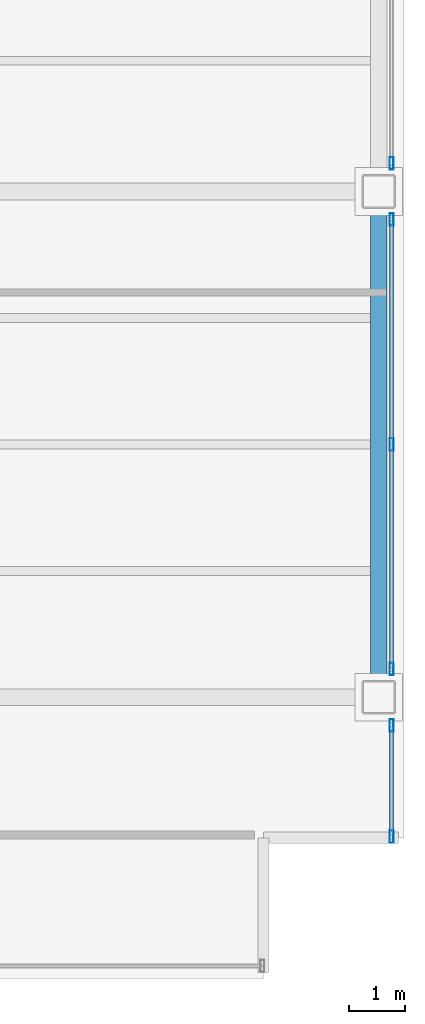
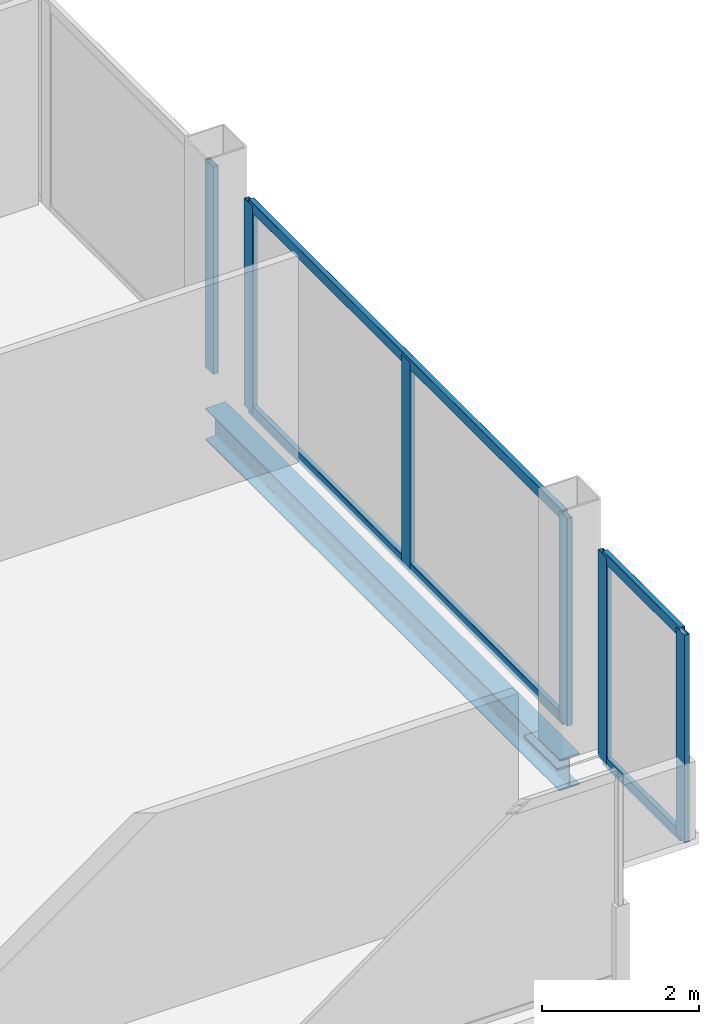
# One storey, part 10 of 20: 10 members, 1 beam, 3 elements without a shape of their own.
"""IFC4 building model written with IfcOpenShell, lengths in metres."""

from ifc_helpers import new_model, si_unit, direction, frame, origin, origin_2d, place, context, subcontext, project, spatial, hollow_rectangle, i_section, extrude, material, material_profile, profile_set, type_object, element, aggregate, save


model = new_model("IFC4")

# Units and contexts
model_context = context("Model", 3, precision=1e-05, world=origin(), true_north=direction((0.0, 1.0)))
body_context = subcontext(model_context, "Body", "Model", "MODEL_VIEW")
ifc_project = project(units=[si_unit("LENGTHUNIT", "METRE"), si_unit("AREAUNIT", "SQUARE_METRE"), si_unit("VOLUMEUNIT", "CUBIC_METRE"), si_unit("PLANEANGLEUNIT", "RADIAN"), si_unit("MASSUNIT", "GRAM", prefix="KILO")], contexts=[model_context])

# Site, building, storey
site_placement = place(None, origin())
site = spatial("IfcSite", under=ifc_project, at=site_placement, CompositionType="ELEMENT")
building_placement = place(site_placement, origin())
building = spatial("IfcBuilding", under=site, at=building_placement, Name="Noeulbin Bourse Tower", CompositionType="ELEMENT")
storey_placement = place(building_placement, frame((0.0, 0.0, 61.60009765625)))
storey = spatial("IfcBuildingStorey", under=building, at=storey_placement, Name="L15", CompositionType="ELEMENT", Elevation=61.60009765625)

# Beam
ifc_material_1 = material(Name="Steel S355", Category="steel")
ifc_material_profile_1 = material_profile(ifc_material_1, i_section(OverallWidth=0.300048828125, OverallDepth=0.488037109375, WebThickness=0.010986328125, FlangeThickness=0.01806640625, FilletRadius=0.02197265625, at=origin_2d()), Name="H-488x300x11x18", Category="LoadBearing")
ifc_profile_set_1 = profile_set([ifc_material_profile_1], Name="Steel S355")
beam_type = type_object("IfcBeamType", Name="BM-SPN-488", PredefinedType="SPANDREL", material=ifc_profile_set_1)
beam_placement = place(storey_placement, frame((57.050048828125, 20.0, -0.424072265625), z_axis=(0.0, 1.0, 0.0), x_axis=(-1.0, 0.0, 0.0)))
element("IfcBeam", 1, at=beam_placement, inside=storey, type_object=beam_type, Name="East Spandrel L15-1", PredefinedType="SPANDREL", context=body_context, shape_type="SweptSolid", body=[
    extrude(i_section(OverallWidth=0.300048828125, OverallDepth=0.488037109375, WebThickness=0.010986328125, FlangeThickness=0.01806640625, FilletRadius=0.02197265625, at=origin_2d()), origin(), (0.0, 0.0, 1.0), 9.0),
])

# Curtain wall, members
ifc_material_2 = material(Name="Dark Solar-Control Double Glazing", Category="glass")
curtain_wall_type = type_object("IfcCurtainWallType", Name="CW-SYS-2", PredefinedType="NOTDEFINED", material=ifc_material_2)
curtain_wall_1_placement = place(storey_placement, origin())
curtain_wall_1 = element("IfcCurtainWall", 2, at=curtain_wall_1_placement, inside=storey, type_object=curtain_wall_type, Name="Unitised Curtain Wall CW-L15-E-S1", PredefinedType="NOTDEFINED")
ifc_material_3 = material(Name="Anodised Aluminium 6063-T6", Category="aluminium")
ifc_material_profile_2 = material_profile(ifc_material_3, hollow_rectangle(XDim=0.074951171875, YDim=0.219970703125, WallThickness=0.0048828125, InnerFilletRadius=0.00244140625, OuterFilletRadius=0.0048828125, at=origin_2d()), Name="ALU-MULL-75x220x5", Category="LoadBearing")
ifc_profile_set_2 = profile_set([ifc_material_profile_2], Name="Anodised Aluminium 6063-T6")
member_type_1 = type_object("IfcMemberType", Name="CW-SYS-2-MUL", PredefinedType="MULLION", material=ifc_profile_set_2)
member_1_placement = place(storey_placement, frame((57.280029296875, 17.52001953125, -0.02001953125), z_axis=(0.0, 0.0, 1.0), x_axis=(1.0, 0.0, 0.0)))
member_1 = element("IfcMember", 3, at=member_1_placement, type_object=member_type_1, Name="Curtain Wall Mullion CW-L15-E-S1-M00", PredefinedType="MULLION", context=body_context, shape_type="SweptSolid", body=[
    extrude(hollow_rectangle(XDim=0.074951171875, YDim=0.219970703125, WallThickness=0.0048828125, InnerFilletRadius=0.00244140625, OuterFilletRadius=0.0048828125, at=origin_2d()), origin(), (0.0, 0.0, 1.0), 3.219970703125),
])
member_2_placement = place(storey_placement, frame((57.280029296875, 19.5, -0.02001953125), z_axis=(0.0, 0.0, 1.0), x_axis=(1.0, 0.0, 0.0)))
member_2 = element("IfcMember", 4, at=member_2_placement, type_object=member_type_1, Name="Curtain Wall Mullion CW-L15-E-S1-M01", PredefinedType="MULLION", context=body_context, shape_type="SweptSolid", body=[
    extrude(hollow_rectangle(XDim=0.074951171875, YDim=0.219970703125, WallThickness=0.0048828125, InnerFilletRadius=0.00244140625, OuterFilletRadius=0.0048828125, at=origin_2d()), origin(), (0.0, 0.0, 1.0), 3.219970703125),
])

curtain_wall_2_placement = place(storey_placement, origin())
curtain_wall_2 = element("IfcCurtainWall", 5, at=curtain_wall_2_placement, inside=storey, type_object=curtain_wall_type, Name="Unitised Curtain Wall CW-L15-E-S2", PredefinedType="NOTDEFINED")
member_3_placement = place(storey_placement, frame((57.280029296875, 20.5, -0.02001953125), z_axis=(0.0, 0.0, 1.0), x_axis=(1.0, 0.0, 0.0)))
member_3 = element("IfcMember", 6, at=member_3_placement, type_object=member_type_1, Name="Curtain Wall Mullion CW-L15-E-S2-M00", PredefinedType="MULLION", context=body_context, shape_type="SweptSolid", body=[
    extrude(hollow_rectangle(XDim=0.074951171875, YDim=0.219970703125, WallThickness=0.0048828125, InnerFilletRadius=0.00244140625, OuterFilletRadius=0.0048828125, at=origin_2d()), origin(), (0.0, 0.0, 1.0), 3.219970703125),
])
member_4_placement = place(storey_placement, frame((57.280029296875, 24.5, -0.02001953125), z_axis=(0.0, 0.0, 1.0), x_axis=(1.0, 0.0, 0.0)))
member_4 = element("IfcMember", 7, at=member_4_placement, type_object=member_type_1, Name="Curtain Wall Mullion CW-L15-E-S2-M01", PredefinedType="MULLION", context=body_context, shape_type="SweptSolid", body=[
    extrude(hollow_rectangle(XDim=0.074951171875, YDim=0.219970703125, WallThickness=0.0048828125, InnerFilletRadius=0.00244140625, OuterFilletRadius=0.0048828125, at=origin_2d()), origin(), (0.0, 0.0, 1.0), 3.219970703125),
])
member_5_placement = place(storey_placement, frame((57.280029296875, 28.5, -0.02001953125), z_axis=(0.0, 0.0, 1.0), x_axis=(1.0, 0.0, 0.0)))
member_5 = element("IfcMember", 8, at=member_5_placement, type_object=member_type_1, Name="Curtain Wall Mullion CW-L15-E-S2-M02", PredefinedType="MULLION", context=body_context, shape_type="SweptSolid", body=[
    extrude(hollow_rectangle(XDim=0.074951171875, YDim=0.219970703125, WallThickness=0.0048828125, InnerFilletRadius=0.00244140625, OuterFilletRadius=0.0048828125, at=origin_2d()), origin(), (0.0, 0.0, 1.0), 3.219970703125),
])

# Curtain wall, member
curtain_wall_3_placement = place(storey_placement, origin())
curtain_wall_3 = element("IfcCurtainWall", 9, at=curtain_wall_3_placement, inside=storey, type_object=curtain_wall_type, Name="Unitised Curtain Wall CW-L15-E-S3", PredefinedType="NOTDEFINED")
member_6_placement = place(storey_placement, frame((57.280029296875, 29.5, -0.02001953125), z_axis=(0.0, 0.0, 1.0), x_axis=(1.0, 0.0, 0.0)))
member_6 = element("IfcMember", 10, at=member_6_placement, type_object=member_type_1, Name="Curtain Wall Mullion CW-L15-E-S3-M00", PredefinedType="MULLION", context=body_context, shape_type="SweptSolid", body=[
    extrude(hollow_rectangle(XDim=0.074951171875, YDim=0.219970703125, WallThickness=0.0048828125, InnerFilletRadius=0.00244140625, OuterFilletRadius=0.0048828125, at=origin_2d()), origin(), (0.0, 0.0, 1.0), 3.219970703125),
])
aggregate(curtain_wall_3, [member_6])

# Member
ifc_material_profile_3 = material_profile(ifc_material_3, hollow_rectangle(XDim=0.074951171875, YDim=0.159912109375, WallThickness=0.0048828125, InnerFilletRadius=0.00244140625, OuterFilletRadius=0.0048828125, at=origin_2d()), Name="ALU-TRAN-75x160x5", Category="LoadBearing")
ifc_profile_set_3 = profile_set([ifc_material_profile_3], Name="Anodised Aluminium 6063-T6")
member_type_2 = type_object("IfcMemberType", Name="CW-SYS-2-TRN", PredefinedType="USERDEFINED", material=ifc_profile_set_3)
member_7_placement = place(storey_placement, frame((57.280029296875, 17.530029296875, 0.010009765625), z_axis=(0.0, 1.0, 0.0), x_axis=(-1.0, 0.0, 0.0)))
member_7 = element("IfcMember", 11, at=member_7_placement, type_object=member_type_2, Name="Curtain Wall Transom CW-L15-E-S1-T00", ObjectType="TRANSOM", PredefinedType="USERDEFINED", context=body_context, shape_type="SweptSolid", body=[
    extrude(hollow_rectangle(XDim=0.074951171875, YDim=0.159912109375, WallThickness=0.0048828125, InnerFilletRadius=0.00244140625, OuterFilletRadius=0.0048828125, at=origin_2d()), origin(), (0.0, 0.0, 1.0), 1.9599609375),
])

member_8_placement = place(storey_placement, frame((57.280029296875, 17.530029296875, 3.169921875), z_axis=(0.0, 1.0, 0.0), x_axis=(-1.0, 0.0, 0.0)))
member_8 = element("IfcMember", 12, at=member_8_placement, type_object=member_type_2, Name="Curtain Wall Transom CW-L15-E-S1-T01", ObjectType="TRANSOM", PredefinedType="USERDEFINED", context=body_context, shape_type="SweptSolid", body=[
    extrude(hollow_rectangle(XDim=0.074951171875, YDim=0.159912109375, WallThickness=0.0048828125, InnerFilletRadius=0.00244140625, OuterFilletRadius=0.0048828125, at=origin_2d()), origin(), (0.0, 0.0, 1.0), 1.9599609375),
])

aggregate(curtain_wall_1, [member_1, member_2, member_7, member_8])

member_9_placement = place(storey_placement, frame((57.280029296875, 20.510009765625, 0.010009765625), z_axis=(0.0, 1.0, 0.0), x_axis=(-1.0, 0.0, 0.0)))
member_9 = element("IfcMember", 13, at=member_9_placement, type_object=member_type_2, Name="Curtain Wall Transom CW-L15-E-S2-T00", ObjectType="TRANSOM", PredefinedType="USERDEFINED", context=body_context, shape_type="SweptSolid", body=[
    extrude(hollow_rectangle(XDim=0.074951171875, YDim=0.159912109375, WallThickness=0.0048828125, InnerFilletRadius=0.00244140625, OuterFilletRadius=0.0048828125, at=origin_2d()), origin(), (0.0, 0.0, 1.0), 7.97998046875),
])

member_10_placement = place(storey_placement, frame((57.280029296875, 20.510009765625, 3.169921875), z_axis=(0.0, 1.0, 0.0), x_axis=(-1.0, 0.0, 0.0)))
member_10 = element("IfcMember", 14, at=member_10_placement, type_object=member_type_2, Name="Curtain Wall Transom CW-L15-E-S2-T01", ObjectType="TRANSOM", PredefinedType="USERDEFINED", context=body_context, shape_type="SweptSolid", body=[
    extrude(hollow_rectangle(XDim=0.074951171875, YDim=0.159912109375, WallThickness=0.0048828125, InnerFilletRadius=0.00244140625, OuterFilletRadius=0.0048828125, at=origin_2d()), origin(), (0.0, 0.0, 1.0), 7.97998046875),
])

aggregate(curtain_wall_2, [member_3, member_4, member_5, member_9, member_10])

save(model, "model.ifc")
